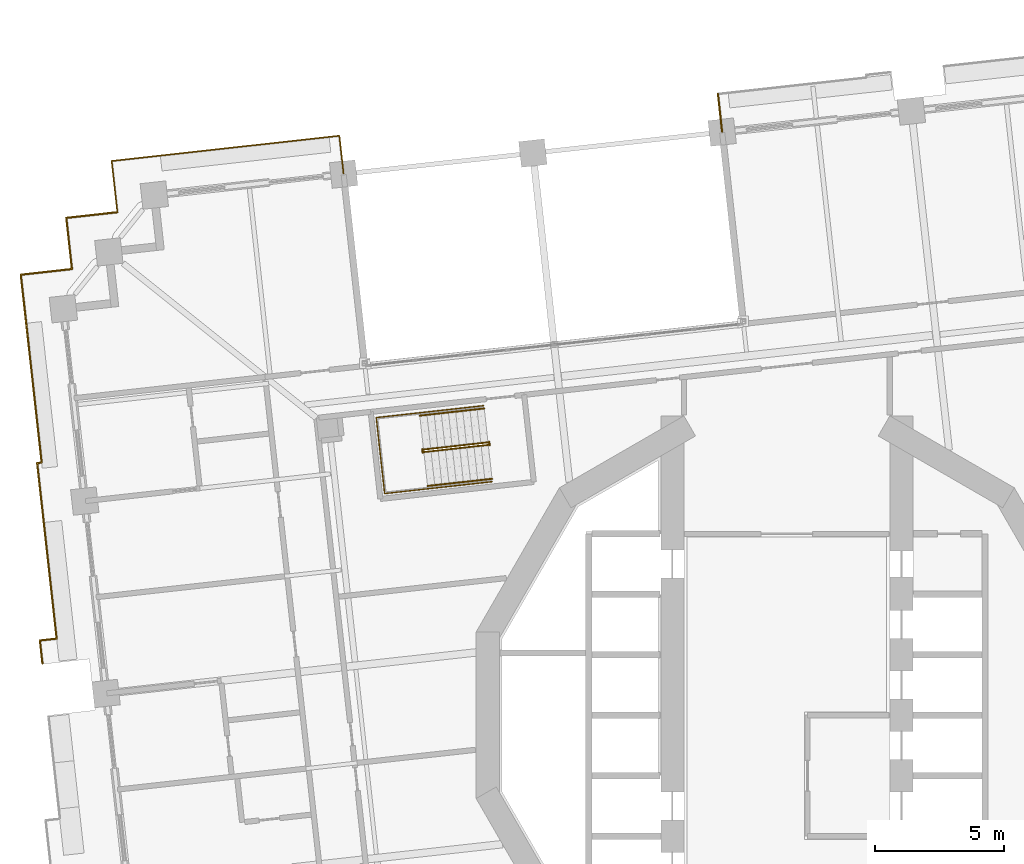
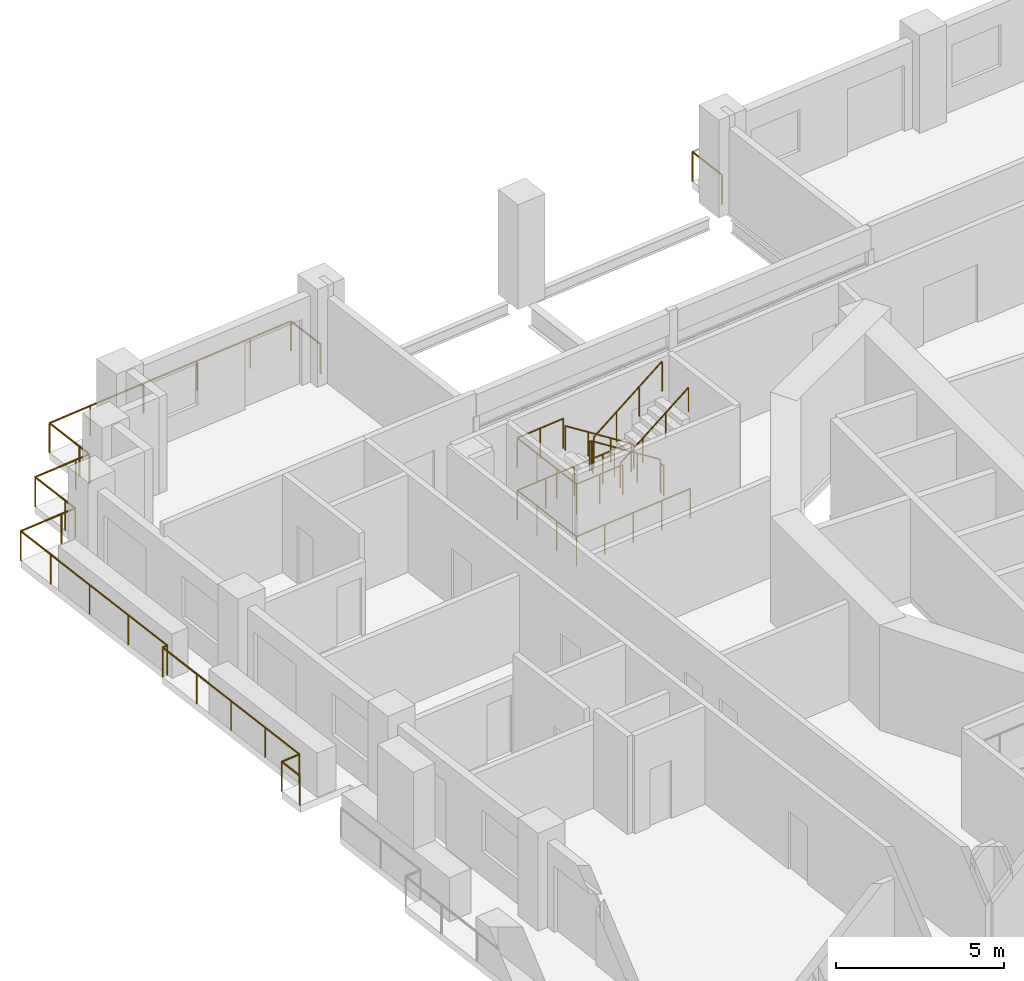
# One storey, part 18 of 21: 10 railings.
"""IFC4 building model written with IfcOpenShell, lengths in metres."""

from ifc_helpers import new_model, si_unit, direction, frame, origin, origin_2d, place, context, subcontext, project, spatial, circle, extrude, material, type_object, element, save


model = new_model("IFC4")

# Units and contexts
model_context = context("Model", 3, precision=1e-05, world=origin(), true_north=direction((0.0, 1.0)))
body_context = subcontext(model_context, "Body", "Model", "MODEL_VIEW")
ifc_project = project(units=[si_unit("LENGTHUNIT", "METRE"), si_unit("AREAUNIT", "SQUARE_METRE"), si_unit("VOLUMEUNIT", "CUBIC_METRE"), si_unit("PLANEANGLEUNIT", "RADIAN"), si_unit("MASSUNIT", "GRAM", prefix="KILO")], contexts=[model_context])

# Site, building, storey
site_placement = place(None, origin())
site = spatial("IfcSite", under=ifc_project, at=site_placement, CompositionType="ELEMENT")
building_placement = place(site_placement, origin())
building = spatial("IfcBuilding", under=site, at=building_placement, Name="Cantera Rosa Tower", CompositionType="ELEMENT")
storey_placement = place(building_placement, frame((0.0, 0.0, 57.699951171875)))
storey = spatial("IfcBuildingStorey", under=building, at=storey_placement, Name="L11", CompositionType="ELEMENT", Elevation=57.699951171875)

# Railings
ifc_material_1 = material(Name="Stainless steel and laminated glass", Category="steel")
railing_type_1 = type_object("IfcRailingType", Name="GUARD 1100", PredefinedType="BALUSTRADE", material=ifc_material_1)
railing_1_placement = place(storey_placement, frame((-26.015380859375, 19.549560546875, 0.0)))
element("IfcRailing", 1, at=railing_1_placement, inside=storey, type_object=railing_type_1, Name="GUARD L11-4", PredefinedType="BALUSTRADE", context=body_context, shape_type="SweptSolid", body=[
    extrude(circle(Radius=0.030029296875, at=origin_2d()), frame((0.0, 0.0, 1.070068359375), z_axis=(-0.110377921269, 0.9938896893, 0.0), x_axis=(-0.9938896893, -0.110377921269, 0.0)), (0.0, 0.0, 1.0), 0.5),
    extrude(circle(Radius=0.030029296875, at=origin_2d()), frame((-0.05517578125, 0.496826171875, 1.070068359375), z_axis=(-0.110181444005, 0.99391148972, 0.0), x_axis=(-0.99391148972, -0.110181444005, 0.0)), (0.0, 0.0, 1.0), 1.5),
    extrude(circle(Radius=0.030029296875, at=origin_2d()), frame((-0.220458984375, 1.98779296875, 1.070068359375), z_axis=(0.993909513469, 0.110199269672, 0.0), x_axis=(-0.110199269672, 0.993909513469, 0.0)), (0.0, 0.0, 1.0), 1.499755859375),
    extrude(circle(Radius=0.030029296875, at=origin_2d()), frame((1.270263671875, 2.153076171875, 1.070068359375), z_axis=(0.993896343916, 0.1103179838, 0.0), x_axis=(-0.1103179838, 0.993896343916, 0.0)), (0.0, 0.0, 1.0), 5.900146484375),
    extrude(circle(Radius=0.030029296875, at=origin_2d()), frame((7.13427734375, 2.803955078125, 1.070068359375), z_axis=(0.993891672249, 0.110360064491, 0.0), x_axis=(-0.110360064491, 0.993891672249, 0.0)), (0.0, 0.0, 1.0), 1.5),
    extrude(circle(Radius=0.030029296875, at=origin_2d()), frame((8.625, 2.969482421875, 1.070068359375), z_axis=(0.110359103751, -0.993891778927, 0.0), x_axis=(0.993891778927, 0.110359103751, 0.0)), (0.0, 0.0, 1.0), 1.47998046875),
    extrude(circle(Radius=0.02490234375, at=origin_2d()), origin(), (0.0, 0.0, 1.0), 1.0400390625),
    extrude(circle(Radius=0.02490234375, at=origin_2d()), frame((-0.05517578125, 0.496826171875, 0.0)), (0.0, 0.0, 1.0), 1.0400390625),
    extrude(circle(Radius=0.02490234375, at=origin_2d()), frame((-0.220458984375, 1.98779296875, 0.0)), (0.0, 0.0, 1.0), 1.0400390625),
    extrude(circle(Radius=0.02490234375, at=origin_2d()), frame((1.270263671875, 2.153076171875, 0.0)), (0.0, 0.0, 1.0), 1.0400390625),
    extrude(circle(Radius=0.02490234375, at=origin_2d()), frame((3.224853515625, 2.3701171875, 0.0)), (0.0, 0.0, 1.0), 1.0400390625),
    extrude(circle(Radius=0.02490234375, at=origin_2d()), frame((5.1796875, 2.5869140625, 0.0)), (0.0, 0.0, 1.0), 1.0400390625),
    extrude(circle(Radius=0.02490234375, at=origin_2d()), frame((7.13427734375, 2.803955078125, 0.0)), (0.0, 0.0, 1.0), 1.0400390625),
    extrude(circle(Radius=0.02490234375, at=origin_2d()), frame((8.625, 2.969482421875, 0.0)), (0.0, 0.0, 1.0), 1.0400390625),
    extrude(circle(Radius=0.02490234375, at=origin_2d()), frame((8.788330078125, 1.49853515625, 0.0)), (0.0, 0.0, 1.0), 1.0400390625),
])
railing_2_placement = place(storey_placement, frame((-28.92919921875, 2.010986328125, 0.0)))
element("IfcRailing", 2, at=railing_2_placement, inside=storey, type_object=railing_type_1, Name="GUARD L11-5", PredefinedType="BALUSTRADE", context=body_context, shape_type="SweptSolid", body=[
    extrude(circle(Radius=0.030029296875, at=origin_2d()), frame((0.0, 0.0, 1.070068359375), z_axis=(-0.110550482044, 0.993870510137, 0.0), x_axis=(-0.993870510137, -0.110550482044, 0.0)), (0.0, 0.0, 1.0), 0.901123046875),
    extrude(circle(Radius=0.030029296875, at=origin_2d()), frame((-0.099609375, 0.8955078125, 1.070068359375), z_axis=(0.993901893263, 0.110267976164, 0.0), x_axis=(-0.110267976164, 0.993901893263, 0.0)), (0.0, 0.0, 1.0), 0.6552734375),
    extrude(circle(Radius=0.030029296875, at=origin_2d()), frame((0.5517578125, 0.9677734375, 1.070068359375), z_axis=(-0.110322228488, 0.993895872766, 0.0), x_axis=(-0.993895872766, -0.110322228488, 0.0)), (0.0, 0.0, 1.0), 6.86474609375),
    extrude(circle(Radius=0.030029296875, at=origin_2d()), frame((-0.20556640625, 7.79052734375, 1.070068359375), z_axis=(0.993798690256, 0.11119425905, 0.0), x_axis=(-0.11119425905, 0.993798690256, 0.0)), (0.0, 0.0, 1.0), 0.175537109375),
    extrude(circle(Radius=0.030029296875, at=origin_2d()), frame((-0.031005859375, 7.81005859375, 1.070068359375), z_axis=(-0.110284804511, 0.993900026106, 0.0), x_axis=(-0.993900026106, -0.110284804511, 0.0)), (0.0, 0.0, 1.0), 5.84423828125),
    extrude(circle(Radius=0.030029296875, at=origin_2d()), frame((-0.675537109375, 13.61865234375, 1.070068359375), z_axis=(-0.110360064491, 0.993891672249, 0.0), x_axis=(-0.993891672249, -0.110360064491, 0.0)), (0.0, 0.0, 1.0), 1.5),
    extrude(circle(Radius=0.030029296875, at=origin_2d()), frame((-0.841064453125, 15.109375, 1.070068359375), z_axis=(0.993891672249, 0.110360064491, 0.0), x_axis=(-0.110360064491, 0.993891672249, 0.0)), (0.0, 0.0, 1.0), 1.5),
    extrude(circle(Radius=0.030029296875, at=origin_2d()), frame((0.649658203125, 15.27490234375, 1.070068359375), z_axis=(0.993895635261, 0.110324368158, 0.0), x_axis=(-0.110324368158, 0.993895635261, 0.0)), (0.0, 0.0, 1.0), 0.500244140625),
    extrude(circle(Radius=0.030029296875, at=origin_2d()), frame((1.146728515625, 15.330078125, 1.070068359375), z_axis=(-0.110324368158, 0.993895635261, 0.0), x_axis=(-0.993895635261, -0.110324368158, 0.0)), (0.0, 0.0, 1.0), 0.500244140625),
    extrude(circle(Radius=0.030029296875, at=origin_2d()), frame((1.091552734375, 15.8271484375, 1.070068359375), z_axis=(-0.110360064491, 0.993891672249, 0.0), x_axis=(-0.993891672249, -0.110360064491, 0.0)), (0.0, 0.0, 1.0), 1.5),
    extrude(circle(Radius=0.030029296875, at=origin_2d()), frame((0.926025390625, 17.31787109375, 1.070068359375), z_axis=(0.993893654236, 0.110342213455, 0.0), x_axis=(-0.110342213455, 0.993893654236, 0.0)), (0.0, 0.0, 1.0), 1.500244140625),
    extrude(circle(Radius=0.030029296875, at=origin_2d()), frame((2.4169921875, 17.4833984375, 1.070068359375), z_axis=(0.9938896893, 0.110377921269, 0.0), x_axis=(-0.110377921269, 0.9938896893, 0.0)), (0.0, 0.0, 1.0), 0.5),
    extrude(circle(Radius=0.02490234375, at=origin_2d()), origin(), (0.0, 0.0, 1.0), 1.0400390625),
    extrude(circle(Radius=0.02490234375, at=origin_2d()), frame((-0.099609375, 0.8955078125, 0.0)), (0.0, 0.0, 1.0), 1.0400390625),
    extrude(circle(Radius=0.02490234375, at=origin_2d()), frame((0.5517578125, 0.9677734375, 0.0)), (0.0, 0.0, 1.0), 1.0400390625),
    extrude(circle(Radius=0.02490234375, at=origin_2d()), frame((0.3623046875, 2.67333984375, 0.0)), (0.0, 0.0, 1.0), 1.0400390625),
    extrude(circle(Radius=0.02490234375, at=origin_2d()), frame((0.173095703125, 4.379150390625, 0.0)), (0.0, 0.0, 1.0), 1.0400390625),
    extrude(circle(Radius=0.02490234375, at=origin_2d()), frame((-0.01611328125, 6.0849609375, 0.0)), (0.0, 0.0, 1.0), 1.0400390625),
    extrude(circle(Radius=0.02490234375, at=origin_2d()), frame((-0.20556640625, 7.79052734375, 0.0)), (0.0, 0.0, 1.0), 1.0400390625),
    extrude(circle(Radius=0.02490234375, at=origin_2d()), frame((-0.031005859375, 7.81005859375, 0.0)), (0.0, 0.0, 1.0), 1.0400390625),
    extrude(circle(Radius=0.02490234375, at=origin_2d()), frame((-0.245849609375, 9.746337890625, 0.0)), (0.0, 0.0, 1.0), 1.0400390625),
    extrude(circle(Radius=0.02490234375, at=origin_2d()), frame((-0.460693359375, 11.682373046875, 0.0)), (0.0, 0.0, 1.0), 1.0400390625),
    extrude(circle(Radius=0.02490234375, at=origin_2d()), frame((-0.675537109375, 13.61865234375, 0.0)), (0.0, 0.0, 1.0), 1.0400390625),
    extrude(circle(Radius=0.02490234375, at=origin_2d()), frame((-0.841064453125, 15.109375, 0.0)), (0.0, 0.0, 1.0), 1.0400390625),
    extrude(circle(Radius=0.02490234375, at=origin_2d()), frame((0.649658203125, 15.27490234375, 0.0)), (0.0, 0.0, 1.0), 1.0400390625),
    extrude(circle(Radius=0.02490234375, at=origin_2d()), frame((1.146728515625, 15.330078125, 0.0)), (0.0, 0.0, 1.0), 1.0400390625),
    extrude(circle(Radius=0.02490234375, at=origin_2d()), frame((1.091552734375, 15.8271484375, 0.0)), (0.0, 0.0, 1.0), 1.0400390625),
    extrude(circle(Radius=0.02490234375, at=origin_2d()), frame((0.926025390625, 17.31787109375, 0.0)), (0.0, 0.0, 1.0), 1.0400390625),
    extrude(circle(Radius=0.02490234375, at=origin_2d()), frame((2.4169921875, 17.4833984375, 0.0)), (0.0, 0.0, 1.0), 1.0400390625),
    extrude(circle(Radius=0.02490234375, at=origin_2d()), frame((2.913818359375, 17.53857421875, 0.0)), (0.0, 0.0, 1.0), 1.0400390625),
])
railing_3_placement = place(storey_placement, frame((-2.517333984375, 22.6806640625, 0.0)))
element("IfcRailing", 3, at=railing_3_placement, inside=storey, type_object=railing_type_1, Name="GUARD L11-7", PredefinedType="BALUSTRADE", context=body_context, shape_type="SweptSolid", body=[
    extrude(circle(Radius=0.030029296875, at=origin_2d()), frame((0.0, 0.0, 1.070068359375), z_axis=(-0.110359103751, 0.993891778927, 0.0), x_axis=(-0.993891778927, -0.110359103751, 0.0)), (0.0, 0.0, 1.0), 1.47998046875),
    extrude(circle(Radius=0.02490234375, at=origin_2d()), origin(), (0.0, 0.0, 1.0), 1.0400390625),
    extrude(circle(Radius=0.02490234375, at=origin_2d()), frame((-0.163330078125, 1.470947265625, 0.0)), (0.0, 0.0, 1.0), 1.0400390625),
])
ifc_material_2 = material(Name="Steel S355J2 (EN 10025-2)", Category="steel")
railing_type_2 = type_object("IfcRailingType", Name="STAIR GUARD 1100", PredefinedType="GUARDRAIL", material=ifc_material_2)
railing_4_placement = place(storey_placement, frame((-11.614013671875, 10.60302734375, 0.18994140625)))
element("IfcRailing", 4, at=railing_4_placement, inside=storey, type_object=railing_type_2, Name="L11 ST-12 stair guard 1", PredefinedType="GUARDRAIL", context=body_context, shape_type="SweptSolid", body=[
    extrude(circle(Radius=0.02392578125, at=origin_2d()), frame((0.0, 0.0, 1.076171875), z_axis=(-0.822400334406, -0.091226394439, 0.561547357688), x_axis=(0.110250758185, -0.993903803353, 0.0)), (0.0, 0.0, 1.0), 3.04541015625),
    extrude(circle(Radius=0.02392578125, at=origin_2d()), frame((-2.504638671875, -0.27783203125, 2.7861328125), z_axis=(-0.932897555956, 0.360141847183, 0.0), x_axis=(-0.360141847183, -0.932897555956, 0.0)), (0.0, 0.0, 1.0), 0.05615234375),
    extrude(circle(Radius=0.02392578125, at=origin_2d()), frame((-2.55712890625, -0.257568359375, 2.7861328125), z_axis=(0.110610055588, -0.993863881828, 0.0), x_axis=(0.993863881828, 0.110610055588, 0.0)), (0.0, 0.0, 1.0), 0.150146484375),
    extrude(circle(Radius=0.02099609375, at=origin_2d()), origin(), (0.0, 0.0, 1.0), 1.052001953125),
    extrude(circle(Radius=0.02099609375, at=origin_2d()), frame((-0.8349609375, -0.092529296875, 0.570068359375)), (0.0, 0.0, 1.0), 1.052001953125),
    extrude(circle(Radius=0.02099609375, at=origin_2d()), frame((-1.669677734375, -0.185302734375, 1.14013671875)), (0.0, 0.0, 1.0), 1.052001953125),
    extrude(circle(Radius=0.02099609375, at=origin_2d()), frame((-2.504638671875, -0.27783203125, 1.710205078125)), (0.0, 0.0, 1.0), 1.052001953125),
    extrude(circle(Radius=0.02099609375, at=origin_2d()), frame((-2.55712890625, -0.257568359375, 1.710205078125)), (0.0, 0.0, 1.0), 1.052001953125),
    extrude(circle(Radius=0.02099609375, at=origin_2d()), frame((-2.54052734375, -0.40673828125, 1.710205078125)), (0.0, 0.0, 1.0), 1.052001953125),
])
railing_5_placement = place(storey_placement, frame((-14.107666015625, 10.227783203125, 2.090087890625)))
element("IfcRailing", 5, at=railing_5_placement, inside=storey, type_object=railing_type_2, Name="L11 ST-12 stair guard 2", PredefinedType="GUARDRAIL", context=body_context, shape_type="SweptSolid", body=[
    extrude(circle(Radius=0.02392578125, at=origin_2d()), frame((0.0, 0.0, 1.076171875), z_axis=(0.822437355244, 0.09123050105, 0.561492468674), x_axis=(-0.110250758185, 0.993903803353, 0.0)), (0.0, 0.0, 1.0), 3.04541015625),
    extrude(circle(Radius=0.02099609375, at=origin_2d()), origin(), (0.0, 0.0, 1.0), 1.052001953125),
    extrude(circle(Radius=0.02099609375, at=origin_2d()), frame((0.8349609375, 0.092529296875, 0.570068359375)), (0.0, 0.0, 1.0), 1.052001953125),
    extrude(circle(Radius=0.02099609375, at=origin_2d()), frame((1.669677734375, 0.185302734375, 1.139892578125)), (0.0, 0.0, 1.0), 1.052001953125),
    extrude(circle(Radius=0.02099609375, at=origin_2d()), frame((2.504638671875, 0.27783203125, 1.7099609375)), (0.0, 0.0, 1.0), 1.052001953125),
])
railing_6_placement = place(storey_placement, frame((-11.567138671875, 10.634521484375, 0.0)))
element("IfcRailing", 6, at=railing_6_placement, inside=storey, type_object=railing_type_2, Name="L11 ST-12 stair guard 3", PredefinedType="GUARDRAIL", context=body_context, shape_type="SweptSolid", body=[
    extrude(circle(Radius=0.02392578125, at=origin_2d()), frame((0.0, 0.0, 1.076171875), z_axis=(0.110610055588, -0.993863881828, 0.0), x_axis=(0.993863881828, 0.110610055588, 0.0)), (0.0, 0.0, 1.0), 0.150146484375),
    extrude(circle(Radius=0.02099609375, at=origin_2d()), origin(), (0.0, 0.0, 1.0), 1.052001953125),
    extrude(circle(Radius=0.02099609375, at=origin_2d()), frame((0.0166015625, -0.149169921875, 0.0)), (0.0, 0.0, 1.0), 1.052001953125),
])
railing_7_placement = place(storey_placement, frame((-11.7841796875, 12.029052734375, 0.0)))
element("IfcRailing", 7, at=railing_7_placement, inside=storey, type_object=railing_type_2, Name="L11 ST-12 stair guard 4", PredefinedType="GUARDRAIL", context=body_context, shape_type="SweptSolid", body=[
    extrude(circle(Radius=0.02392578125, at=origin_2d()), frame((0.0, 0.0, 1.076171875), z_axis=(-0.9938957856, -0.110323013767, 0.0), x_axis=(0.110323013767, -0.9938957856, 0.0)), (0.0, 0.0, 1.0), 4.197998046875),
    extrude(circle(Radius=0.02392578125, at=origin_2d()), frame((-4.17236328125, -0.463134765625, 1.076171875), z_axis=(0.11023303584, -0.99390576908, 0.0), x_axis=(0.99390576908, 0.11023303584, 0.0)), (0.0, 0.0, 1.0), 2.969970703125),
    extrude(circle(Radius=0.02392578125, at=origin_2d()), frame((-3.844970703125, -3.4150390625, 1.076171875), z_axis=(0.993896493372, 0.11031663729, 0.0), x_axis=(-0.11031663729, 0.993896493372, 0.0)), (0.0, 0.0, 1.0), 4.1982421875),
    extrude(circle(Radius=0.02099609375, at=origin_2d()), origin(), (0.0, 0.0, 1.0), 1.052001953125),
    extrude(circle(Radius=0.02099609375, at=origin_2d()), frame((-1.04296875, -0.11572265625, 0.0)), (0.0, 0.0, 1.0), 1.052001953125),
    extrude(circle(Radius=0.02099609375, at=origin_2d()), frame((-2.086181640625, -0.2314453125, 0.0)), (0.0, 0.0, 1.0), 1.052001953125),
    extrude(circle(Radius=0.02099609375, at=origin_2d()), frame((-3.12939453125, -0.347412109375, 0.0)), (0.0, 0.0, 1.0), 1.052001953125),
    extrude(circle(Radius=0.02099609375, at=origin_2d()), frame((-4.17236328125, -0.463134765625, 0.0)), (0.0, 0.0, 1.0), 1.052001953125),
    extrude(circle(Radius=0.02099609375, at=origin_2d()), frame((-4.063232421875, -1.447021484375, 0.0)), (0.0, 0.0, 1.0), 1.052001953125),
    extrude(circle(Radius=0.02099609375, at=origin_2d()), frame((-3.9541015625, -2.43115234375, 0.0)), (0.0, 0.0, 1.0), 1.052001953125),
    extrude(circle(Radius=0.02099609375, at=origin_2d()), frame((-3.844970703125, -3.4150390625, 0.0)), (0.0, 0.0, 1.0), 1.052001953125),
    extrude(circle(Radius=0.02099609375, at=origin_2d()), frame((-2.8017578125, -3.29931640625, 0.0)), (0.0, 0.0, 1.0), 1.052001953125),
    extrude(circle(Radius=0.02099609375, at=origin_2d()), frame((-1.7587890625, -3.18359375, 0.0)), (0.0, 0.0, 1.0), 1.052001953125),
    extrude(circle(Radius=0.02099609375, at=origin_2d()), frame((-0.715576171875, -3.067626953125, 0.0)), (0.0, 0.0, 1.0), 1.052001953125),
    extrude(circle(Radius=0.02099609375, at=origin_2d()), frame((0.32763671875, -2.951904296875, 0.0)), (0.0, 0.0, 1.0), 1.052001953125),
])
railing_8_placement = place(storey_placement, frame((-14.26513671875, 11.753662109375, 1.900146484375)))
element("IfcRailing", 8, at=railing_8_placement, inside=storey, type_object=railing_type_2, Name="L11 ST-12 stair guard 5", PredefinedType="GUARDRAIL", context=body_context, shape_type="SweptSolid", body=[
    extrude(circle(Radius=0.02392578125, at=origin_2d()), frame((0.0, 0.0, 1.076171875), z_axis=(-0.99389597521, -0.110321305562, 0.0), x_axis=(0.110321305562, -0.99389597521, 0.0)), (0.0, 0.0, 1.0), 1.701904296875),
    extrude(circle(Radius=0.02392578125, at=origin_2d()), frame((-1.69140625, -0.187744140625, 1.076171875), z_axis=(0.11023303584, -0.99390576908, 0.0), x_axis=(0.99390576908, 0.11023303584, 0.0)), (0.0, 0.0, 1.0), 2.969970703125),
    extrude(circle(Radius=0.02392578125, at=origin_2d()), frame((-1.364013671875, -3.1396484375, 1.076171875), z_axis=(0.993897720867, 0.110305577623, 0.0), x_axis=(-0.110305577623, 0.993897720867, 0.0)), (0.0, 0.0, 1.0), 1.7021484375),
    extrude(circle(Radius=0.02099609375, at=origin_2d()), origin(), (0.0, 0.0, 1.0), 1.052001953125),
    extrude(circle(Radius=0.02099609375, at=origin_2d()), frame((-0.845703125, -0.09375, 0.0)), (0.0, 0.0, 1.0), 1.052001953125),
    extrude(circle(Radius=0.02099609375, at=origin_2d()), frame((-1.69140625, -0.187744140625, 0.0)), (0.0, 0.0, 1.0), 1.052001953125),
    extrude(circle(Radius=0.02099609375, at=origin_2d()), frame((-1.582275390625, -1.171630859375, 0.0)), (0.0, 0.0, 1.0), 1.052001953125),
    extrude(circle(Radius=0.02099609375, at=origin_2d()), frame((-1.47314453125, -2.15576171875, 0.0)), (0.0, 0.0, 1.0), 1.052001953125),
    extrude(circle(Radius=0.02099609375, at=origin_2d()), frame((-1.364013671875, -3.1396484375, 0.0)), (0.0, 0.0, 1.0), 1.052001953125),
    extrude(circle(Radius=0.02099609375, at=origin_2d()), frame((-0.51806640625, -3.0458984375, 0.0)), (0.0, 0.0, 1.0), 1.052001953125),
    extrude(circle(Radius=0.02099609375, at=origin_2d()), frame((0.32763671875, -2.951904296875, 0.0)), (0.0, 0.0, 1.0), 1.052001953125),
])
ifc_material_3 = material(Name="Steel S355J2 (EN 10025-2)", Category="steel")
railing_type_3 = type_object("IfcRailingType", Name="STAIR HANDRAIL 900", PredefinedType="HANDRAIL", material=ifc_material_3)
railing_9_placement = place(storey_placement, frame((-11.76025390625, 11.921142578125, 0.18994140625)))
element("IfcRailing", 9, at=railing_9_placement, inside=storey, type_object=railing_type_3, Name="L11 ST-12 stair handrail 1", PredefinedType="HANDRAIL", context=body_context, shape_type="SweptSolid", body=[
    extrude(circle(Radius=0.02392578125, at=origin_2d()), frame((0.0, 0.0, 0.8759765625), z_axis=(-0.822394317572, -0.091305890215, 0.561543249302), x_axis=(0.110346460196, -0.993893182753, 0.0)), (0.0, 0.0, 1.0), 3.045654296875),
    extrude(circle(Radius=0.02099609375, at=origin_2d()), origin(), (0.0, 0.0, 1.0), 0.851806640625),
    extrude(circle(Radius=0.02099609375, at=origin_2d()), frame((-0.8349609375, -0.0927734375, 0.570068359375)), (0.0, 0.0, 1.0), 0.851806640625),
    extrude(circle(Radius=0.02099609375, at=origin_2d()), frame((-1.669677734375, -0.185302734375, 1.14013671875)), (0.0, 0.0, 1.0), 0.851806640625),
    extrude(circle(Radius=0.02099609375, at=origin_2d()), frame((-2.504638671875, -0.278076171875, 1.710205078125)), (0.0, 0.0, 1.0), 0.851806640625),
])
railing_10_placement = place(storey_placement, frame((-13.96142578125, 8.909912109375, 2.090087890625)))
element("IfcRailing", 10, at=railing_10_placement, inside=storey, type_object=railing_type_3, Name="L11 ST-12 stair handrail 2", PredefinedType="HANDRAIL", context=body_context, shape_type="SweptSolid", body=[
    extrude(circle(Radius=0.02392578125, at=origin_2d()), frame((0.0, 0.0, 0.8759765625), z_axis=(0.822437355244, 0.09123050105, 0.561492468674), x_axis=(-0.110250758185, 0.993903803353, 0.0)), (0.0, 0.0, 1.0), 3.04541015625),
    extrude(circle(Radius=0.02099609375, at=origin_2d()), origin(), (0.0, 0.0, 1.0), 0.851806640625),
    extrude(circle(Radius=0.02099609375, at=origin_2d()), frame((0.8349609375, 0.092529296875, 0.570068359375)), (0.0, 0.0, 1.0), 0.851806640625),
    extrude(circle(Radius=0.02099609375, at=origin_2d()), frame((1.669677734375, 0.185302734375, 1.139892578125)), (0.0, 0.0, 1.0), 0.851806640625),
    extrude(circle(Radius=0.02099609375, at=origin_2d()), frame((2.504638671875, 0.27783203125, 1.7099609375)), (0.0, 0.0, 1.0), 0.851806640625),
])

save(model, "model.ifc")
